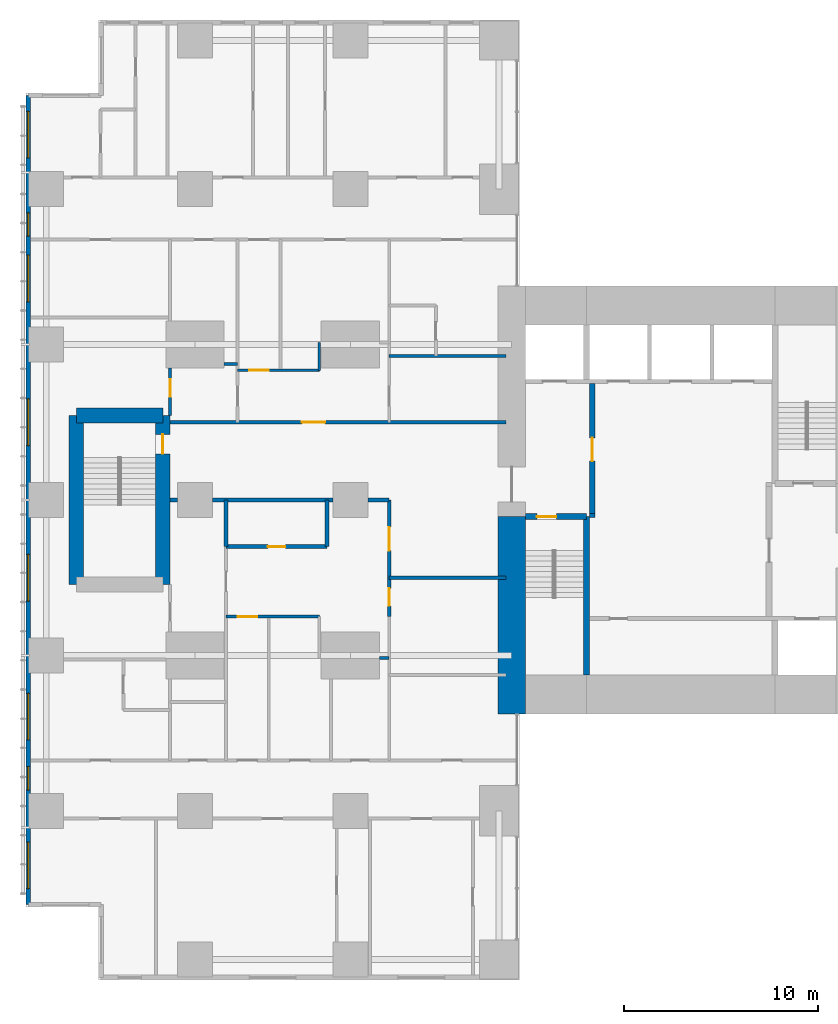
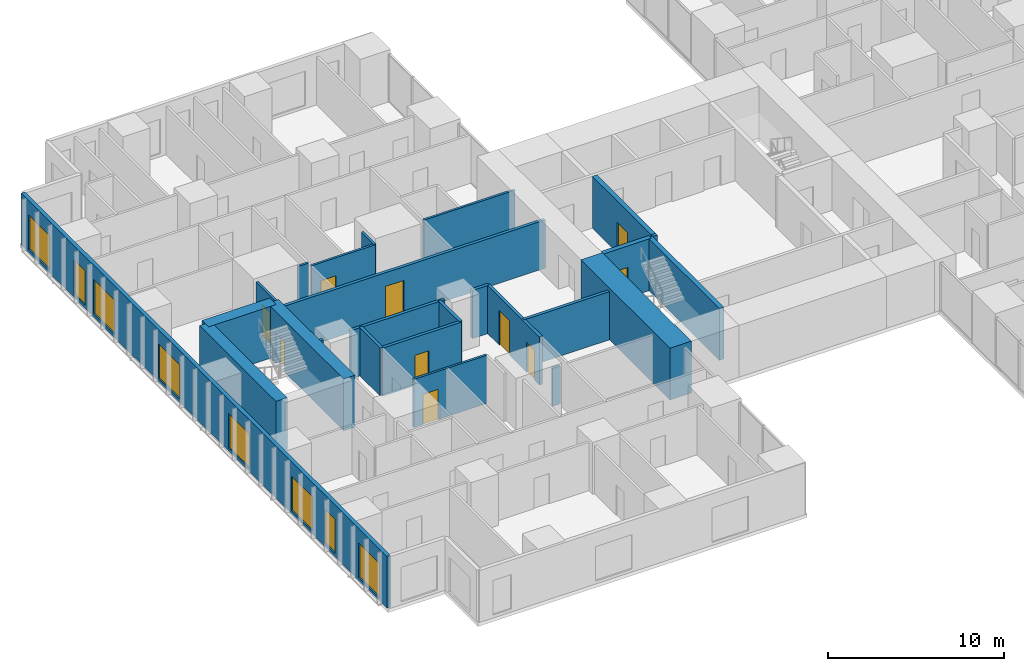
# One storey, part 13 of 20: 25 walls, 10 doors, 8 windows, 18 openings.
"""IFC4 building model written with IfcOpenShell, lengths in metres."""

import ifcopenshell
import ifcopenshell.guid

model = None  # the IFC model being written
_history = None  # IfcOwnerHistory: only IFC2X3 demands one
_inside = {}  # id of a spatial element -> (the spatial element, [elements in it])
_under = {}  # id of a project, library or spatial element -> (it, [spatial elements below it])
_declared = {}  # id of a project -> (the project, [libraries it declares])
_typed = {}  # id of a type object -> (the type object, [elements of that type])
_made_of = {}  # id of a material, layer set ... -> (it, [elements and type objects made of it])


def new_model(schema):
    """Start an empty IFC model of exactly this schema.

    Asked for "IFC4X3", IfcOpenShell would pick the latest addendum, in which some entities
    have other attributes; the version numbers below select the first issue.
    IFC2X3 requires an IfcOwnerHistory on every rooted entity: one is made here for all.
    """
    global model, _history
    if schema == "IFC4X3":
        model = ifcopenshell.file(schema_version=(4, 3, 0, 0))
    else:
        model = ifcopenshell.file(schema=schema)
    _inside.clear()
    _under.clear()
    _declared.clear()
    _typed.clear()
    _made_of.clear()
    _history = None
    if model.schema == "IFC2X3":
        org = make("IfcOrganization", Name="unknown")
        user = make(
            "IfcPersonAndOrganization",
            ThePerson=make("IfcPerson", FamilyName="unknown"),
            TheOrganization=org,
        )
        app = make(
            "IfcApplication",
            ApplicationDeveloper=org,
            Version="unknown",
            ApplicationFullName="unknown",
            ApplicationIdentifier="unknown",
        )
        _history = make(
            "IfcOwnerHistory",
            OwningUser=user,
            OwningApplication=app,
            ChangeAction="ADDED",
            CreationDate=0,
        )
    return model


def make(cls, **values):
    """One entity of the class cls with the attributes given. An attribute that is None is left unset."""
    return model.create_entity(
        cls, **{name: value for name, value in values.items() if value is not None}
    )


def rooted(cls, **values):
    """An entity with a GlobalId (a new one), such as an element, a storey or a relation."""
    return make(cls, GlobalId=ifcopenshell.guid.new(), OwnerHistory=_history, **values)


def si_unit(unit_type, name, prefix=None):
    """IfcSIUnit, for example si_unit("LENGTHUNIT", "METRE", prefix="MILLI")."""
    return make("IfcSIUnit", UnitType=unit_type, Prefix=prefix, Name=name)


def assignment(units):
    """IfcUnitAssignment: the units of a project."""
    return None if units is None else make("IfcUnitAssignment", Units=units)


def point(xyz):
    """IfcCartesianPoint."""
    return None if xyz is None else make("IfcCartesianPoint", Coordinates=xyz)


def direction(xyz):
    """IfcDirection."""
    return None if xyz is None else make("IfcDirection", DirectionRatios=xyz)


def frame(location, z_axis=None, x_axis=None):
    """IfcAxis2Placement3D, a coordinate frame: its origin and axes. An axis left out is left unset."""
    return make(
        "IfcAxis2Placement3D",
        Location=point(location),
        Axis=direction(z_axis),
        RefDirection=direction(x_axis),
    )


def frame_2d(location, x_axis=None):
    """IfcAxis2Placement2D, a coordinate frame in the plane: its origin and x axis."""
    return make(
        "IfcAxis2Placement2D", Location=point(location), RefDirection=direction(x_axis)
    )


def origin():
    """The frame at (0, 0, 0) with its axes left unset."""
    return frame((0.0, 0.0, 0.0))


def place(relative_to, where):
    """IfcLocalPlacement: puts the frame where relative to a parent placement (None: the world)."""
    return make(
        "IfcLocalPlacement", PlacementRelTo=relative_to, RelativePlacement=where
    )


def context(
    kind, dimensions, precision=None, world=None, true_north=None, identifier=None
):
    """IfcGeometricRepresentationContext, for example the 3D "Model" context."""
    return make(
        "IfcGeometricRepresentationContext",
        ContextIdentifier=identifier,
        ContextType=kind,
        CoordinateSpaceDimension=dimensions,
        Precision=precision,
        WorldCoordinateSystem=world,
        TrueNorth=true_north,
    )


def subcontext(parent, identifier, kind, view, scale=None):
    """IfcGeometricRepresentationSubContext, for example "Body" below "Model"."""
    return make(
        "IfcGeometricRepresentationSubContext",
        ContextIdentifier=identifier,
        ContextType=kind,
        ParentContext=parent,
        TargetScale=scale,
        TargetView=view,
    )


def project(units=None, contexts=None):
    """IfcProject with its units and contexts."""
    return rooted(
        "IfcProject",
        Name="project",
        RepresentationContexts=contexts,
        UnitsInContext=assignment(units),
    )


def spatial(cls, under=None, at=None, **own):
    """A site, building, storey or space (cls), placed at a placement, below another one or the project."""
    s = rooted(cls, ObjectPlacement=at, **own)
    if under is not None:
        _under.setdefault(under.id(), (under, []))[1].append(s)
    return s


def profile(cls, at=None, kind="AREA", **sizes):
    """A parametric profile (cls). Its sizes go by their IFC names, for example OverallWidth=200.0."""
    return make(cls, ProfileType=kind, Position=at, **sizes)


def rectangle(**sizes):
    """IfcRectangleProfileDef."""
    return profile("IfcRectangleProfileDef", **sizes)


def extrude(swept, where, along, depth):
    """IfcExtrudedAreaSolid: the profile swept, set in the frame where, extruded along a direction by depth."""
    return make(
        "IfcExtrudedAreaSolid",
        SweptArea=swept,
        Position=where,
        ExtrudedDirection=direction(along),
        Depth=depth,
    )


def shape(context_of_items, identifier, shape_type, items):
    """IfcShapeRepresentation: the items that make up one representation, for example the "Body"."""
    return make(
        "IfcShapeRepresentation",
        ContextOfItems=context_of_items,
        RepresentationIdentifier=identifier,
        RepresentationType=shape_type,
        Items=items,
    )


def material(Name=None, Category=None):
    """IfcMaterial."""
    return make("IfcMaterial", Name=Name, Category=Category)


def layer(
    of_material, thickness, ventilated=None, Name=None, Category=None, Priority=None
):
    """IfcMaterialLayer: one layer of a wall or slab, of a material (None: an air gap)."""
    return make(
        "IfcMaterialLayer",
        Material=of_material,
        LayerThickness=thickness,
        IsVentilated=ventilated,
        Name=Name,
        Category=Category,
        Priority=Priority,
    )


def layer_set(layers, Name=None):
    """IfcMaterialLayerSet."""
    return make("IfcMaterialLayerSet", MaterialLayers=layers, LayerSetName=Name)


def made_of(thing, what):
    """Note that an element or type object is made of a material, layer set ...; save() writes the relation."""
    if what is not None:
        _made_of.setdefault(what.id(), (what, []))[1].append(thing)
    return thing


def type_object(cls, material=None, **own):
    """A type object (cls), such as IfcWallType, which elements share."""
    return made_of(rooted(cls, **own), material)


def element(
    cls,
    number,
    at=None,
    inside=None,
    cuts=None,
    type_object=None,
    material=None,
    context=None,
    identifier="Body",
    shape_type=None,
    held_by="IfcProductDefinitionShape",
    body=None,
    shapes=None,
    **own,
):
    """One element of the class cls, such as IfcWall. Its Tag is "e" and its number.

    at: its placement. inside: the storey or other place that contains it. cuts: it is an
    opening in that element (IfcRelVoidsElement). A single representation is given by context,
    identifier, shape_type and body (its items); several are given by shapes. held_by: the class
    of the entity that holds the representations. save() writes the other relations.
    """
    e = rooted(cls, Tag="e%d" % number, ObjectPlacement=at, **own)
    if body is not None:
        shapes = [shape(context, identifier, shape_type, body)]
    if shapes is not None:
        e.Representation = make(held_by, Representations=shapes)
    if inside is not None:
        _inside.setdefault(inside.id(), (inside, []))[1].append(e)
    if cuts is not None:
        rooted(
            "IfcRelVoidsElement", RelatingBuildingElement=cuts, RelatedOpeningElement=e
        )
    if type_object is not None:
        _typed.setdefault(type_object.id(), (type_object, []))[1].append(e)
    return made_of(e, material)


def fill(opening, filler):
    """IfcRelFillsElement: the door or window that sits in an opening."""
    return rooted(
        "IfcRelFillsElement",
        RelatingOpeningElement=opening,
        RelatedBuildingElement=filler,
    )


def aggregate(whole, parts):
    """IfcRelAggregates: a whole, such as a stair, and the parts it consists of."""
    return rooted("IfcRelAggregates", RelatingObject=whole, RelatedObjects=parts)


def save(model, path):
    """Write the relations noted so far, then the file.

    IfcRelAggregates (storeys below a building ...), IfcRelContainedInSpatialStructure (elements
    in a storey), IfcRelDefinesByType, IfcRelAssociatesMaterial and IfcRelDeclares: one each for
    every whole, place, type object, material and project.
    """
    for whole, parts in _under.values():
        aggregate(whole, parts)
    for where, things in _inside.values():
        rooted(
            "IfcRelContainedInSpatialStructure",
            RelatedElements=things,
            RelatingStructure=where,
        )
    for kind, things in _typed.values():
        rooted("IfcRelDefinesByType", RelatedObjects=things, RelatingType=kind)
    for what, things in _made_of.values():
        rooted("IfcRelAssociatesMaterial", RelatedObjects=things, RelatingMaterial=what)
    for by, libraries in _declared.values():
        rooted("IfcRelDeclares", RelatingContext=by, RelatedDefinitions=libraries)
    model.write(path)


model = new_model("IFC4")

# Units and contexts
model_context = context("Model", 3, precision=1e-05, world=origin(), true_north=direction((0.0, 1.0)))
body_context = subcontext(model_context, "Body", "Model", "MODEL_VIEW")
ifc_project = project(units=[si_unit("LENGTHUNIT", "METRE"), si_unit("AREAUNIT", "SQUARE_METRE"), si_unit("VOLUMEUNIT", "CUBIC_METRE"), si_unit("PLANEANGLEUNIT", "RADIAN"), si_unit("MASSUNIT", "GRAM", prefix="KILO")], contexts=[model_context])

# Site, building, storey
site_placement = place(None, origin())
site = spatial("IfcSite", under=ifc_project, at=site_placement, CompositionType="ELEMENT")
building_placement = place(site_placement, origin())
building = spatial("IfcBuilding", under=site, at=building_placement, Name="Cleftline Residences", CompositionType="ELEMENT")
storey_placement = place(building_placement, frame((0.0, 0.0, 211.0)))
storey = spatial("IfcBuildingStorey", under=building, at=storey_placement, Name="L55", CompositionType="ELEMENT", Elevation=211.0)

# Walls
ifc_material_1 = material(Name="Concrete B70", Category="concrete")
ifc_layer_1 = layer(ifc_material_1, 1.39990234375)
ifc_layer_set_1 = layer_set([ifc_layer_1], Name="CORE WALL 1400")
wall_type_1 = type_object("IfcWallType", Name="CORE WALL 1400", PredefinedType="SHEAR", material=ifc_layer_set_1)
wall_1_placement = place(storey_placement, frame((24.300048828125, 13.0, 0.0), z_axis=(0.0, 0.0, 1.0), x_axis=(0.0, 1.0, 0.0)))
element("IfcWall", 1, at=wall_1_placement, inside=storey, type_object=wall_type_1, Name="Core wall W0", PredefinedType="SHEAR", context=body_context, shape_type="SweptSolid", body=[
    extrude(rectangle(XDim=10.14990234375, YDim=1.39990234375, at=frame_2d((5.074951171875, 0.0))), origin(), (0.0, 0.0, 1.0), 3.60009765625),
])
ifc_material_2 = material(Name="Concrete B70", Category="concrete")
ifc_layer_2 = layer(ifc_material_2, 0.300048828125)
ifc_layer_set_2 = layer_set([ifc_layer_2], Name="CORE WALL 300")
wall_type_2 = type_object("IfcWallType", Name="CORE WALL 300", PredefinedType="SHEAR", material=ifc_layer_set_2)
wall_2_placement = place(storey_placement, frame((28.14990234375, 15.0, 0.0), z_axis=(0.0, 0.0, 1.0), x_axis=(0.0, 1.0, 0.0)))
element("IfcWall", 2, at=wall_2_placement, inside=storey, type_object=wall_type_2, Name="Core wall SA-E", PredefinedType="SHEAR", context=body_context, shape_type="SweptSolid", body=[
    extrude(rectangle(XDim=8.14990234375, YDim=0.300048828125, at=frame_2d((4.074951171875, 0.0))), origin(), (0.0, 0.0, 1.0), 3.60009765625),
])

# Wall, opening, door
wall_3_placement = place(storey_placement, frame((25.0, 23.14990234375, 0.0), z_axis=(0.0, 0.0, 1.0), x_axis=(1.0, 0.0, 0.0)))
wall_3 = element("IfcWall", 3, at=wall_3_placement, inside=storey, type_object=wall_type_2, Name="Core wall SA-N", PredefinedType="SHEAR", context=body_context, shape_type="SweptSolid", body=[
    extrude(rectangle(XDim=3.14990234375, YDim=0.300048828125, at=frame_2d((1.574951171875, 0.0))), origin(), (0.0, 0.0, 1.0), 3.60009765625),
])
opening_1_placement = place(wall_3_placement, frame((0.60009765625, 0.0, 0.0)))
opening_1 = element("IfcOpeningElement", 4, at=opening_1_placement, cuts=wall_3, Name="Opening D5", PredefinedType="OPENING", context=body_context, shape_type="SweptSolid", body=[
    extrude(rectangle(XDim=1.0, YDim=2.10009765625, at=frame_2d((0.5, 1.050048828125))), frame((0.0, 0.159912109375, 0.0), z_axis=(0.0, -1.0, 0.0), x_axis=(1.0, 0.0, 0.0)), (0.0, 0.0, 1.0), 0.320068359375),
])
ifc_material_3 = material(Name="Steel", Category="steel")
door_type_1 = type_object("IfcDoorType", Name="STAIR DOOR 1000X2100", OperationType="SINGLE_SWING_LEFT", PredefinedType="DOOR", material=ifc_material_3)
door_1_placement = place(opening_1_placement, origin())
door_1 = element("IfcDoor", 5, at=door_1_placement, inside=storey, type_object=door_type_1, Name="Stair A door", OperationType="SINGLE_SWING_RIGHT", OverallHeight=2.10009765625, OverallWidth=1.0, PredefinedType="DOOR", context=body_context, shape_type="SweptSolid", body=[
    extrude(rectangle(XDim=1.0, YDim=2.10009765625, at=frame_2d((0.5, 1.050048828125))), frame((0.0, 0.02490234375, 0.0), z_axis=(0.0, -1.0, 0.0), x_axis=(1.0, 0.0, 0.0)), (0.0, 0.0, 1.0), 0.050048828125),
])
fill(opening_1, door_1)

# Wall, openings, windows
ifc_material_4 = material(Name="Rendered reinforced concrete blockwork", Category="masonry")
ifc_layer_3 = layer(ifc_material_4, 0.25)
ifc_layer_set_3 = layer_set([ifc_layer_3], Name="EXTERNAL WALL 250")
wall_type_3 = type_object("IfcWallType", Name="EXTERNAL WALL 250", PredefinedType="SOLIDWALL", material=ifc_layer_set_3)
wall_4_placement = place(storey_placement, frame((-0.574951171875, 44.824951171875, 0.0), z_axis=(0.0, 0.0, 1.0), x_axis=(0.0, -1.0, 0.0)))
wall_4 = element("IfcWall", 6, at=wall_4_placement, inside=storey, type_object=wall_type_3, Name="External wall", PredefinedType="SOLIDWALL", context=body_context, shape_type="SweptSolid", body=[
    extrude(rectangle(XDim=41.64990234375, YDim=0.25, at=frame_2d((20.824951171875, 0.0))), origin(), (0.0, 0.0, 1.0), 3.60009765625),
])
opening_2_placement = place(wall_4_placement, frame((0.824951171875, 0.0, 0.199951171875)))
opening_2 = element("IfcOpeningElement", 7, at=opening_2_placement, cuts=wall_4, Name="Opening W9", PredefinedType="OPENING", context=body_context, shape_type="SweptSolid", body=[
    extrude(rectangle(XDim=2.39990234375, YDim=2.39990234375, at=frame_2d((1.199951171875, 1.199951171875))), frame((0.0, 0.135009765625, 0.0), z_axis=(0.0, -1.0, 0.0), x_axis=(1.0, 0.0, 0.0)), (0.0, 0.0, 1.0), 0.27001953125),
])
opening_3_placement = place(wall_4_placement, frame((6.050048828125, 0.0, 0.199951171875)))
opening_3 = element("IfcOpeningElement", 8, at=opening_3_placement, cuts=wall_4, Name="Opening W13", PredefinedType="OPENING", context=body_context, shape_type="SweptSolid", body=[
    extrude(rectangle(XDim=1.199951171875, YDim=2.39990234375, at=frame_2d((0.60009765625, 1.199951171875))), frame((0.0, 0.135009765625, 0.0), z_axis=(0.0, -1.0, 0.0), x_axis=(1.0, 0.0, 0.0)), (0.0, 0.0, 1.0), 0.27001953125),
])
opening_4_placement = place(wall_4_placement, frame((8.22509765625, 0.0, 0.199951171875)))
opening_4 = element("IfcOpeningElement", 9, at=opening_4_placement, cuts=wall_4, Name="Opening W9", PredefinedType="OPENING", context=body_context, shape_type="SweptSolid", body=[
    extrude(rectangle(XDim=2.39990234375, YDim=2.39990234375, at=frame_2d((1.199951171875, 1.199951171875))), frame((0.0, 0.135009765625, 0.0), z_axis=(0.0, -1.0, 0.0), x_axis=(1.0, 0.0, 0.0)), (0.0, 0.0, 1.0), 0.27001953125),
])
opening_5_placement = place(wall_4_placement, frame((15.625, 0.0, 0.199951171875)))
opening_5 = element("IfcOpeningElement", 10, at=opening_5_placement, cuts=wall_4, Name="Opening W9", PredefinedType="OPENING", context=body_context, shape_type="SweptSolid", body=[
    extrude(rectangle(XDim=2.39990234375, YDim=2.39990234375, at=frame_2d((1.199951171875, 1.199951171875))), frame((0.0, 0.135009765625, 0.0), z_axis=(0.0, -1.0, 0.0), x_axis=(1.0, 0.0, 0.0)), (0.0, 0.0, 1.0), 0.27001953125),
])
opening_6_placement = place(wall_4_placement, frame((23.625, 0.0, 0.199951171875)))
opening_6 = element("IfcOpeningElement", 11, at=opening_6_placement, cuts=wall_4, Name="Opening W9", PredefinedType="OPENING", context=body_context, shape_type="SweptSolid", body=[
    extrude(rectangle(XDim=2.39990234375, YDim=2.39990234375, at=frame_2d((1.199951171875, 1.199951171875))), frame((0.0, 0.135009765625, 0.0), z_axis=(0.0, -1.0, 0.0), x_axis=(1.0, 0.0, 0.0)), (0.0, 0.0, 1.0), 0.27001953125),
])
opening_7_placement = place(wall_4_placement, frame((30.77490234375, 0.0, 0.199951171875)))
opening_7 = element("IfcOpeningElement", 12, at=opening_7_placement, cuts=wall_4, Name="Opening W9", PredefinedType="OPENING", context=body_context, shape_type="SweptSolid", body=[
    extrude(rectangle(XDim=2.39990234375, YDim=2.39990234375, at=frame_2d((1.199951171875, 1.199951171875))), frame((0.0, 0.135009765625, 0.0), z_axis=(0.0, -1.0, 0.0), x_axis=(1.0, 0.0, 0.0)), (0.0, 0.0, 1.0), 0.27001953125),
])
opening_8_placement = place(wall_4_placement, frame((34.550048828125, 0.0, 0.199951171875)))
opening_8 = element("IfcOpeningElement", 13, at=opening_8_placement, cuts=wall_4, Name="Opening W13", PredefinedType="OPENING", context=body_context, shape_type="SweptSolid", body=[
    extrude(rectangle(XDim=1.199951171875, YDim=2.39990234375, at=frame_2d((0.60009765625, 1.199951171875))), frame((0.0, 0.135009765625, 0.0), z_axis=(0.0, -1.0, 0.0), x_axis=(1.0, 0.0, 0.0)), (0.0, 0.0, 1.0), 0.27001953125),
])
opening_9_placement = place(wall_4_placement, frame((38.425048828125, 0.0, 0.199951171875)))
opening_9 = element("IfcOpeningElement", 14, at=opening_9_placement, cuts=wall_4, Name="Opening W9", PredefinedType="OPENING", context=body_context, shape_type="SweptSolid", body=[
    extrude(rectangle(XDim=2.39990234375, YDim=2.39990234375, at=frame_2d((1.199951171875, 1.199951171875))), frame((0.0, 0.135009765625, 0.0), z_axis=(0.0, -1.0, 0.0), x_axis=(1.0, 0.0, 0.0)), (0.0, 0.0, 1.0), 0.27001953125),
])
ifc_material_5 = material(Name="Aluminium frame, clear double glazing", Category="aluminium")
window_type_1 = type_object("IfcWindowType", Name="WINDOW 1200X2400", PartitioningType="DOUBLE_PANEL_VERTICAL", PredefinedType="WINDOW", material=ifc_material_5)
window_1_placement = place(opening_3_placement, origin())
window_1 = element("IfcWindow", 15, at=window_1_placement, inside=storey, type_object=window_type_1, Name="Window", OverallHeight=2.39990234375, OverallWidth=1.199951171875, PartitioningType="SINGLE_PANEL", PredefinedType="WINDOW", context=body_context, shape_type="SweptSolid", body=[
    extrude(rectangle(XDim=1.199951171875, YDim=2.39990234375, at=frame_2d((0.60009765625, 1.199951171875))), frame((0.0, 0.030029296875, 0.0), z_axis=(0.0, -1.0, 0.0), x_axis=(1.0, 0.0, 0.0)), (0.0, 0.0, 1.0), 0.06005859375),
])
fill(opening_3, window_1)
window_2_placement = place(opening_8_placement, origin())
window_2 = element("IfcWindow", 16, at=window_2_placement, inside=storey, type_object=window_type_1, Name="Window", OverallHeight=2.39990234375, OverallWidth=1.199951171875, PartitioningType="SINGLE_PANEL", PredefinedType="WINDOW", context=body_context, shape_type="SweptSolid", body=[
    extrude(rectangle(XDim=1.199951171875, YDim=2.39990234375, at=frame_2d((0.60009765625, 1.199951171875))), frame((0.0, 0.030029296875, 0.0), z_axis=(0.0, -1.0, 0.0), x_axis=(1.0, 0.0, 0.0)), (0.0, 0.0, 1.0), 0.06005859375),
])
fill(opening_8, window_2)
ifc_material_6 = material(Name="Aluminium frame, clear double glazing", Category="aluminium")
window_type_2 = type_object("IfcWindowType", Name="WINDOW 2400X2400", PartitioningType="DOUBLE_PANEL_VERTICAL", PredefinedType="WINDOW", material=ifc_material_6)
window_3_placement = place(opening_2_placement, origin())
window_3 = element("IfcWindow", 17, at=window_3_placement, inside=storey, type_object=window_type_2, Name="Window", OverallHeight=2.39990234375, OverallWidth=2.39990234375, PartitioningType="SINGLE_PANEL", PredefinedType="WINDOW", context=body_context, shape_type="SweptSolid", body=[
    extrude(rectangle(XDim=2.39990234375, YDim=2.39990234375, at=frame_2d((1.199951171875, 1.199951171875))), frame((0.0, 0.030029296875, 0.0), z_axis=(0.0, -1.0, 0.0), x_axis=(1.0, 0.0, 0.0)), (0.0, 0.0, 1.0), 0.06005859375),
])
fill(opening_2, window_3)
window_4_placement = place(opening_4_placement, origin())
window_4 = element("IfcWindow", 18, at=window_4_placement, inside=storey, type_object=window_type_2, Name="Window", OverallHeight=2.39990234375, OverallWidth=2.39990234375, PartitioningType="SINGLE_PANEL", PredefinedType="WINDOW", context=body_context, shape_type="SweptSolid", body=[
    extrude(rectangle(XDim=2.39990234375, YDim=2.39990234375, at=frame_2d((1.199951171875, 1.199951171875))), frame((0.0, 0.030029296875, 0.0), z_axis=(0.0, -1.0, 0.0), x_axis=(1.0, 0.0, 0.0)), (0.0, 0.0, 1.0), 0.06005859375),
])
fill(opening_4, window_4)
window_5_placement = place(opening_5_placement, origin())
window_5 = element("IfcWindow", 19, at=window_5_placement, inside=storey, type_object=window_type_2, Name="Window", OverallHeight=2.39990234375, OverallWidth=2.39990234375, PartitioningType="SINGLE_PANEL", PredefinedType="WINDOW", context=body_context, shape_type="SweptSolid", body=[
    extrude(rectangle(XDim=2.39990234375, YDim=2.39990234375, at=frame_2d((1.199951171875, 1.199951171875))), frame((0.0, 0.030029296875, 0.0), z_axis=(0.0, -1.0, 0.0), x_axis=(1.0, 0.0, 0.0)), (0.0, 0.0, 1.0), 0.06005859375),
])
fill(opening_5, window_5)
window_6_placement = place(opening_6_placement, origin())
window_6 = element("IfcWindow", 20, at=window_6_placement, inside=storey, type_object=window_type_2, Name="Window", OverallHeight=2.39990234375, OverallWidth=2.39990234375, PartitioningType="SINGLE_PANEL", PredefinedType="WINDOW", context=body_context, shape_type="SweptSolid", body=[
    extrude(rectangle(XDim=2.39990234375, YDim=2.39990234375, at=frame_2d((1.199951171875, 1.199951171875))), frame((0.0, 0.030029296875, 0.0), z_axis=(0.0, -1.0, 0.0), x_axis=(1.0, 0.0, 0.0)), (0.0, 0.0, 1.0), 0.06005859375),
])
fill(opening_6, window_6)
window_7_placement = place(opening_7_placement, origin())
window_7 = element("IfcWindow", 21, at=window_7_placement, inside=storey, type_object=window_type_2, Name="Window", OverallHeight=2.39990234375, OverallWidth=2.39990234375, PartitioningType="SINGLE_PANEL", PredefinedType="WINDOW", context=body_context, shape_type="SweptSolid", body=[
    extrude(rectangle(XDim=2.39990234375, YDim=2.39990234375, at=frame_2d((1.199951171875, 1.199951171875))), frame((0.0, 0.030029296875, 0.0), z_axis=(0.0, -1.0, 0.0), x_axis=(1.0, 0.0, 0.0)), (0.0, 0.0, 1.0), 0.06005859375),
])
fill(opening_7, window_7)
window_8_placement = place(opening_9_placement, origin())
window_8 = element("IfcWindow", 22, at=window_8_placement, inside=storey, type_object=window_type_2, Name="Window", OverallHeight=2.39990234375, OverallWidth=2.39990234375, PartitioningType="SINGLE_PANEL", PredefinedType="WINDOW", context=body_context, shape_type="SweptSolid", body=[
    extrude(rectangle(XDim=2.39990234375, YDim=2.39990234375, at=frame_2d((1.199951171875, 1.199951171875))), frame((0.0, 0.030029296875, 0.0), z_axis=(0.0, -1.0, 0.0), x_axis=(1.0, 0.0, 0.0)), (0.0, 0.0, 1.0), 0.06005859375),
])
fill(opening_9, window_8)

# Wall
ifc_material_7 = material(Name="Concrete blockwork, fire rated", Category="masonry")
ifc_layer_4 = layer(ifc_material_7, 0.199951171875)
ifc_layer_set_4 = layer_set([ifc_layer_4], Name="FIRE WALL 200")
wall_type_4 = type_object("IfcWallType", Name="FIRE WALL 200", PredefinedType="PARTITIONING", material=ifc_layer_set_4)
wall_5_placement = place(storey_placement, frame((18.0, 20.0, 0.0), z_axis=(0.0, 0.0, 1.0), x_axis=(1.0, 0.0, 0.0)))
element("IfcWall", 23, at=wall_5_placement, inside=storey, type_object=wall_type_4, Name="Fire separating wall", PredefinedType="PARTITIONING", context=body_context, shape_type="SweptSolid", body=[
    extrude(rectangle(XDim=6.0, YDim=0.199951171875, at=frame_2d((3.0, 0.0))), origin(), (0.0, 0.0, 1.0), 3.35009765625),
])

# Wall, opening, door
wall_6_placement = place(storey_placement, frame((9.60009765625, 21.60009765625, 0.0), z_axis=(0.0, 0.0, 1.0), x_axis=(1.0, 0.0, 0.0)))
wall_6 = element("IfcWall", 24, at=wall_6_placement, inside=storey, type_object=wall_type_4, Name="Fire separating wall", PredefinedType="PARTITIONING", context=body_context, shape_type="SweptSolid", body=[
    extrude(rectangle(XDim=5.199951171875, YDim=0.199951171875, at=frame_2d((2.60009765625, 0.0))), origin(), (0.0, 0.0, 1.0), 3.35009765625),
])
opening_10_placement = place(wall_6_placement, frame((2.14990234375, 0.0, 0.0)))
opening_10 = element("IfcOpeningElement", 25, at=opening_10_placement, cuts=wall_6, Name="Opening D1F30", PredefinedType="OPENING", context=body_context, shape_type="SweptSolid", body=[
    extrude(rectangle(XDim=0.89990234375, YDim=2.10009765625, at=frame_2d((0.449951171875, 1.050048828125))), frame((0.0, 0.10986328125, 0.0), z_axis=(0.0, -1.0, 0.0), x_axis=(1.0, 0.0, 0.0)), (0.0, 0.0, 1.0), 0.219970703125),
])
ifc_material_8 = material(Name="Timber veneer on solid core", Category="wood")
door_type_2 = type_object("IfcDoorType", Name="DOOR 900X2100 EI 30", OperationType="SINGLE_SWING_LEFT", PredefinedType="DOOR", material=ifc_material_8)
door_2_placement = place(opening_10_placement, origin())
door_2 = element("IfcDoor", 26, at=door_2_placement, inside=storey, type_object=door_type_2, Name="Door to cloakroom wc", OperationType="SINGLE_SWING_LEFT", OverallHeight=2.10009765625, OverallWidth=0.89990234375, PredefinedType="DOOR", context=body_context, shape_type="SweptSolid", body=[
    extrude(rectangle(XDim=0.89990234375, YDim=2.10009765625, at=frame_2d((0.449951171875, 1.050048828125))), frame((0.0, 0.02490234375, 0.0), z_axis=(0.0, -1.0, 0.0), x_axis=(1.0, 0.0, 0.0)), (0.0, 0.0, 1.0), 0.050048828125),
])
fill(opening_10, door_2)

# Walls
wall_7_placement = place(storey_placement, frame((6.72509765625, 24.0, 0.0), z_axis=(0.0, 0.0, 1.0), x_axis=(1.0, 0.0, 0.0)))
element("IfcWall", 27, at=wall_7_placement, inside=storey, type_object=wall_type_4, Name="Fire separating wall", PredefinedType="PARTITIONING", context=body_context, shape_type="SweptSolid", body=[
    extrude(rectangle(XDim=0.375, YDim=0.199951171875, at=frame_2d((0.1875, 0.0))), origin(), (0.0, 0.0, 1.0), 3.35009765625),
])
wall_8_placement = place(storey_placement, frame((8.89990234375, 24.0, 0.0), z_axis=(0.0, 0.0, 1.0), x_axis=(1.0, 0.0, 0.0)))
element("IfcWall", 28, at=wall_8_placement, inside=storey, type_object=wall_type_4, Name="Fire separating wall", PredefinedType="PARTITIONING", context=body_context, shape_type="SweptSolid", body=[
    extrude(rectangle(XDim=6.2001953125, YDim=0.199951171875, at=frame_2d((3.10009765625, 0.0))), origin(), (0.0, 0.0, 1.0), 3.35009765625),
])
wall_9_placement = place(storey_placement, frame((16.89990234375, 24.0, 0.0), z_axis=(0.0, 0.0, 1.0), x_axis=(1.0, 0.0, 0.0)))
element("IfcWall", 29, at=wall_9_placement, inside=storey, type_object=wall_type_4, Name="Fire separating wall", PredefinedType="PARTITIONING", context=body_context, shape_type="SweptSolid", body=[
    extrude(rectangle(XDim=1.10009765625, YDim=0.199951171875, at=frame_2d((0.550048828125, 0.0))), origin(), (0.0, 0.0, 1.0), 3.35009765625),
])

# Wall, opening, door
wall_10_placement = place(storey_placement, frame((6.72509765625, 28.0, 0.0), z_axis=(0.0, 0.0, 1.0), x_axis=(1.0, 0.0, 0.0)))
wall_10 = element("IfcWall", 30, at=wall_10_placement, inside=storey, type_object=wall_type_4, Name="Fire separating wall", PredefinedType="PARTITIONING", context=body_context, shape_type="SweptSolid", body=[
    extrude(rectangle(XDim=17.27490234375, YDim=0.199951171875, at=frame_2d((8.637451171875, 0.0))), origin(), (0.0, 0.0, 1.0), 3.35009765625),
])
opening_11_placement = place(wall_10_placement, frame((6.77490234375, 0.0, 0.0)))
opening_11 = element("IfcOpeningElement", 31, at=opening_11_placement, cuts=wall_10, Name="Opening D4", PredefinedType="OPENING", context=body_context, shape_type="SweptSolid", body=[
    extrude(rectangle(XDim=1.199951171875, YDim=2.39990234375, at=frame_2d((0.60009765625, 1.199951171875))), frame((0.0, 0.10986328125, 0.0), z_axis=(0.0, -1.0, 0.0), x_axis=(1.0, 0.0, 0.0)), (0.0, 0.0, 1.0), 0.219970703125),
])
ifc_material_9 = material(Name="Timber veneer on solid core", Category="wood")
door_type_3 = type_object("IfcDoorType", Name="APARTMENT ENTRANCE DOOR 1200X2400", OperationType="SINGLE_SWING_RIGHT", PredefinedType="DOOR", material=ifc_material_9)
door_3_placement = place(opening_11_placement, origin())
door_3 = element("IfcDoor", 32, at=door_3_placement, inside=storey, type_object=door_type_3, Name="Door to residence entrance (gallery)", OperationType="SINGLE_SWING_RIGHT", OverallHeight=2.39990234375, OverallWidth=1.199951171875, PredefinedType="DOOR", context=body_context, shape_type="SweptSolid", body=[
    extrude(rectangle(XDim=1.199951171875, YDim=2.39990234375, at=frame_2d((0.60009765625, 1.199951171875))), frame((0.0, 0.02490234375, 0.0), z_axis=(0.0, -1.0, 0.0), x_axis=(1.0, 0.0, 0.0)), (0.0, 0.0, 1.0), 0.050048828125),
])
fill(opening_11, door_3)

# Walls
for number, where, z_axis, x_axis, name in (
    (33, (9.60009765625, 21.60009765625, 0.0), (0.0, 0.0, 1.0), (0.0, 1.0, 0.0), "Fire separating wall"),
    (34, (14.800048828125, 21.60009765625, 0.0), (0.0, 0.0, 1.0), (0.0, 1.0, 0.0), "Fire separating wall"),
):
    element("IfcWall", number, at=place(storey_placement, frame(where, z_axis=z_axis, x_axis=x_axis)), inside=storey, type_object=wall_type_4, Name=name, PredefinedType="PARTITIONING", context=body_context, shape_type="SweptSolid", body=[
        extrude(rectangle(XDim=2.39990234375, YDim=0.199951171875, at=frame_2d((1.199951171875, 0.0))), origin(), (0.0, 0.0, 1.0), 3.35009765625),
    ])

# Wall, openings, doors
wall_11_placement = place(storey_placement, frame((18.0, 18.0, 0.0), z_axis=(0.0, 0.0, 1.0), x_axis=(0.0, 1.0, 0.0)))
wall_11 = element("IfcWall", 35, at=wall_11_placement, inside=storey, type_object=wall_type_4, Name="Fire separating wall", PredefinedType="PARTITIONING", context=body_context, shape_type="SweptSolid", body=[
    extrude(rectangle(XDim=6.0, YDim=0.199951171875, at=frame_2d((3.0, 0.0))), origin(), (0.0, 0.0, 1.0), 3.35009765625),
])
opening_12_placement = place(wall_11_placement, frame((3.39990234375, 0.0, 0.0)))
opening_12 = element("IfcOpeningElement", 36, at=opening_12_placement, cuts=wall_11, Name="Opening D4", PredefinedType="OPENING", context=body_context, shape_type="SweptSolid", body=[
    extrude(rectangle(XDim=1.199951171875, YDim=2.39990234375, at=frame_2d((0.60009765625, 1.199951171875))), frame((0.0, 0.10986328125, 0.0), z_axis=(0.0, -1.0, 0.0), x_axis=(1.0, 0.0, 0.0)), (0.0, 0.0, 1.0), 0.219970703125),
])
opening_13_placement = place(wall_11_placement, frame((0.550048828125, 0.0, 0.0)))
opening_13 = element("IfcOpeningElement", 37, at=opening_13_placement, cuts=wall_11, Name="Opening D1F30", PredefinedType="OPENING", context=body_context, shape_type="SweptSolid", body=[
    extrude(rectangle(XDim=0.89990234375, YDim=2.10009765625, at=frame_2d((0.449951171875, 1.050048828125))), frame((0.0, 0.10986328125, 0.0), z_axis=(0.0, -1.0, 0.0), x_axis=(1.0, 0.0, 0.0)), (0.0, 0.0, 1.0), 0.219970703125),
])
door_4_placement = place(opening_12_placement, origin())
door_4 = element("IfcDoor", 38, at=door_4_placement, inside=storey, type_object=door_type_3, Name="Door to residence entrance foyer", OperationType="SINGLE_SWING_LEFT", OverallHeight=2.39990234375, OverallWidth=1.199951171875, PredefinedType="DOOR", context=body_context, shape_type="SweptSolid", body=[
    extrude(rectangle(XDim=1.199951171875, YDim=2.39990234375, at=frame_2d((0.60009765625, 1.199951171875))), frame((0.0, 0.02490234375, 0.0), z_axis=(0.0, -1.0, 0.0), x_axis=(1.0, 0.0, 0.0)), (0.0, 0.0, 1.0), 0.050048828125),
])
fill(opening_12, door_4)
door_5_placement = place(opening_13_placement, origin())
door_5 = element("IfcDoor", 39, at=door_5_placement, inside=storey, type_object=door_type_2, Name="Door to utility room", OperationType="SINGLE_SWING_RIGHT", OverallHeight=2.10009765625, OverallWidth=0.89990234375, PredefinedType="DOOR", context=body_context, shape_type="SweptSolid", body=[
    extrude(rectangle(XDim=0.89990234375, YDim=2.10009765625, at=frame_2d((0.449951171875, 1.050048828125))), frame((0.0, 0.02490234375, 0.0), z_axis=(0.0, -1.0, 0.0), x_axis=(1.0, 0.0, 0.0)), (0.0, 0.0, 1.0), 0.050048828125),
])
fill(opening_13, door_5)

# Walls
wall_12_placement = place(storey_placement, frame((28.300048828125, 23.199951171875, 0.0), z_axis=(0.0, 0.0, 1.0), x_axis=(1.0, 0.0, 0.0)))
element("IfcWall", 40, at=wall_12_placement, inside=storey, type_object=wall_type_4, Name="Fire separating wall", PredefinedType="PARTITIONING", context=body_context, shape_type="SweptSolid", body=[
    extrude(rectangle(XDim=0.300048828125, YDim=0.199951171875, at=frame_2d((0.14990234375, 0.0))), origin(), (0.0, 0.0, 1.0), 3.60009765625),
])
ifc_material_10 = material(Name="Gypsum board on steel studs", Category="steel")
ifc_layer_5 = layer(ifc_material_10, 0.14990234375)
ifc_layer_set_5 = layer_set([ifc_layer_5], Name="PARTITION 150")
wall_type_5 = type_object("IfcWallType", Name="PARTITION 150", PredefinedType="PARTITIONING", material=ifc_layer_set_5)
wall_13_placement = place(storey_placement, frame((17.5, 15.875, 0.0), z_axis=(0.0, 0.0, 1.0), x_axis=(1.0, 0.0, 0.0)))
element("IfcWall", 41, at=wall_13_placement, inside=storey, type_object=wall_type_5, Name="Partition", PredefinedType="PARTITIONING", context=body_context, shape_type="SweptSolid", body=[
    extrude(rectangle(XDim=0.5, YDim=0.14990234375, at=frame_2d((0.25, 0.0))), origin(), (0.0, 0.0, 1.0), 2.634033203125),
])

# Wall, opening, door
wall_14_placement = place(storey_placement, frame((9.60009765625, 18.0, 0.0), z_axis=(0.0, 0.0, 1.0), x_axis=(1.0, 0.0, 0.0)))
wall_14 = element("IfcWall", 42, at=wall_14_placement, inside=storey, type_object=wall_type_5, Name="Partition", PredefinedType="PARTITIONING", context=body_context, shape_type="SweptSolid", body=[
    extrude(rectangle(XDim=4.7998046875, YDim=0.14990234375, at=frame_2d((2.39990234375, 0.0))), origin(), (0.0, 0.0, 1.0), 3.35009765625),
])
opening_14_placement = place(wall_14_placement, frame((0.60009765625, 0.0, 0.0)))
opening_14 = element("IfcOpeningElement", 43, at=opening_14_placement, cuts=wall_14, Name="Opening D2", PredefinedType="OPENING", context=body_context, shape_type="SweptSolid", body=[
    extrude(rectangle(XDim=1.0, YDim=2.10009765625, at=frame_2d((0.5, 1.050048828125))), frame((0.0, 0.0849609375, 0.0), z_axis=(0.0, -1.0, 0.0), x_axis=(1.0, 0.0, 0.0)), (0.0, 0.0, 1.0), 0.169921875),
])
ifc_material_11 = material(Name="Timber veneer on solid core", Category="wood")
door_type_4 = type_object("IfcDoorType", Name="DOOR 1000X2100", OperationType="SINGLE_SWING_LEFT", PredefinedType="DOOR", material=ifc_material_11)
door_6_placement = place(opening_14_placement, origin())
door_6 = element("IfcDoor", 44, at=door_6_placement, inside=storey, type_object=door_type_4, Name="Door to residence passage", OperationType="SINGLE_SWING_RIGHT", OverallHeight=2.10009765625, OverallWidth=1.0, PredefinedType="DOOR", context=body_context, shape_type="SweptSolid", body=[
    extrude(rectangle(XDim=1.0, YDim=2.10009765625, at=frame_2d((0.5, 1.050048828125))), frame((0.0, 0.02490234375, 0.0), z_axis=(0.0, -1.0, 0.0), x_axis=(1.0, 0.0, 0.0)), (0.0, 0.0, 1.0), 0.050048828125),
])
fill(opening_14, door_6)

wall_15_placement = place(storey_placement, frame((10.199951171875, 30.675048828125, 0.0), z_axis=(0.0, 0.0, 1.0), x_axis=(1.0, 0.0, 0.0)))
wall_15 = element("IfcWall", 45, at=wall_15_placement, inside=storey, type_object=wall_type_5, Name="Partition", PredefinedType="PARTITIONING", context=body_context, shape_type="SweptSolid", body=[
    extrude(rectangle(XDim=4.199951171875, YDim=0.14990234375, at=frame_2d((2.10009765625, 0.0))), origin(), (0.0, 0.0, 1.0), 3.35009765625),
])
opening_15_placement = place(wall_15_placement, frame((0.60009765625, 0.0, 0.0)))
opening_15 = element("IfcOpeningElement", 46, at=opening_15_placement, cuts=wall_15, Name="Opening D2", PredefinedType="OPENING", context=body_context, shape_type="SweptSolid", body=[
    extrude(rectangle(XDim=1.0, YDim=2.10009765625, at=frame_2d((0.5, 1.050048828125))), frame((0.0, 0.0849609375, 0.0), z_axis=(0.0, -1.0, 0.0), x_axis=(1.0, 0.0, 0.0)), (0.0, 0.0, 1.0), 0.169921875),
])
door_7_placement = place(opening_15_placement, origin())
door_7 = element("IfcDoor", 47, at=door_7_placement, inside=storey, type_object=door_type_4, Name="Door to residence passage", OperationType="SINGLE_SWING_RIGHT", OverallHeight=2.10009765625, OverallWidth=1.0, PredefinedType="DOOR", context=body_context, shape_type="SweptSolid", body=[
    extrude(rectangle(XDim=1.0, YDim=2.10009765625, at=frame_2d((0.5, 1.050048828125))), frame((0.0, 0.02490234375, 0.0), z_axis=(0.0, -1.0, 0.0), x_axis=(1.0, 0.0, 0.0)), (0.0, 0.0, 1.0), 0.050048828125),
])
fill(opening_15, door_7)

# Walls
wall_16_placement = place(storey_placement, frame((9.5, 31.0, 0.0), z_axis=(0.0, 0.0, 1.0), x_axis=(1.0, 0.0, 0.0)))
element("IfcWall", 48, at=wall_16_placement, inside=storey, type_object=wall_type_5, Name="Partition", PredefinedType="PARTITIONING", context=body_context, shape_type="SweptSolid", body=[
    extrude(rectangle(XDim=0.699951171875, YDim=0.14990234375, at=frame_2d((0.35009765625, 0.0))), origin(), (0.0, 0.0, 1.0), 3.35009765625),
])
wall_17_placement = place(storey_placement, frame((18.0, 31.39990234375, 0.0), z_axis=(0.0, 0.0, 1.0), x_axis=(1.0, 0.0, 0.0)))
element("IfcWall", 49, at=wall_17_placement, inside=storey, type_object=wall_type_5, Name="Partition", PredefinedType="PARTITIONING", context=body_context, shape_type="SweptSolid", body=[
    extrude(rectangle(XDim=6.0, YDim=0.14990234375, at=frame_2d((3.0, 0.0))), origin(), (0.0, 0.0, 1.0), 3.35009765625),
])

# Wall, opening, door
wall_18_placement = place(storey_placement, frame((6.72509765625, 28.35009765625, 0.0), z_axis=(0.0, 0.0, 1.0), x_axis=(0.0, 1.0, 0.0)))
wall_18 = element("IfcWall", 50, at=wall_18_placement, inside=storey, type_object=wall_type_5, Name="Partition", PredefinedType="PARTITIONING", context=body_context, shape_type="SweptSolid", body=[
    extrude(rectangle(XDim=2.449951171875, YDim=0.14990234375, at=frame_2d((1.22509765625, 0.0))), origin(), (0.0, 0.0, 1.0), 3.35009765625),
])
opening_16_placement = place(wall_18_placement, frame((0.96240234375, 0.0, 0.0)))
opening_16 = element("IfcOpeningElement", 51, at=opening_16_placement, cuts=wall_18, Name="Opening D1", PredefinedType="OPENING", context=body_context, shape_type="SweptSolid", body=[
    extrude(rectangle(XDim=0.89990234375, YDim=2.10009765625, at=frame_2d((0.449951171875, 1.050048828125))), frame((0.0, 0.0849609375, 0.0), z_axis=(0.0, -1.0, 0.0), x_axis=(1.0, 0.0, 0.0)), (0.0, 0.0, 1.0), 0.169921875),
])
ifc_material_12 = material(Name="Timber veneer on solid core", Category="wood")
door_type_5 = type_object("IfcDoorType", Name="DOOR 900X2100", OperationType="SINGLE_SWING_LEFT", PredefinedType="DOOR", material=ifc_material_12)
door_8_placement = place(opening_16_placement, origin())
door_8 = element("IfcDoor", 52, at=door_8_placement, inside=storey, type_object=door_type_5, Name="Door to drying loggia", OperationType="SINGLE_SWING_LEFT", OverallHeight=2.10009765625, OverallWidth=0.89990234375, PredefinedType="DOOR", context=body_context, shape_type="SweptSolid", body=[
    extrude(rectangle(XDim=0.89990234375, YDim=2.10009765625, at=frame_2d((0.449951171875, 1.050048828125))), frame((0.0, 0.02490234375, 0.0), z_axis=(0.0, -1.0, 0.0), x_axis=(1.0, 0.0, 0.0)), (0.0, 0.0, 1.0), 0.050048828125),
])
fill(opening_16, door_8)

# Wall
wall_19_placement = place(storey_placement, frame((14.39990234375, 30.675048828125, 0.0), z_axis=(0.0, 0.0, 1.0), x_axis=(0.0, 1.0, 0.0)))
element("IfcWall", 53, at=wall_19_placement, inside=storey, type_object=wall_type_5, Name="Partition", PredefinedType="PARTITIONING", context=body_context, shape_type="SweptSolid", body=[
    extrude(rectangle(XDim=1.425048828125, YDim=0.14990234375, at=frame_2d((0.71240234375, 0.0))), origin(), (0.0, 0.0, 1.0), 3.35009765625),
])

# Wall, opening, door
ifc_material_13 = material(Name="Concrete B70", Category="concrete")
ifc_layer_6 = layer(ifc_material_13, 0.75)
ifc_layer_set_6 = layer_set([ifc_layer_6], Name="SHEAR WALL 750")
wall_type_6 = type_object("IfcWallType", Name="SHEAR WALL 750", PredefinedType="SHEAR", material=ifc_layer_set_6)
wall_20_placement = place(storey_placement, frame((6.35009765625, 19.64990234375, 0.0), z_axis=(0.0, 0.0, 1.0), x_axis=(0.0, 1.0, 0.0)))
wall_20 = element("IfcWall", 54, at=wall_20_placement, inside=storey, type_object=wall_type_6, Name="Wing shear wall", PredefinedType="SHEAR", context=body_context, shape_type="SweptSolid", body=[
    extrude(rectangle(XDim=8.7001953125, YDim=0.75, at=frame_2d((4.35009765625, 0.0))), origin(), (0.0, 0.0, 1.0), 3.60009765625),
])
opening_17_placement = place(wall_20_placement, frame((6.72509765625, 0.0, 0.0)))
opening_17 = element("IfcOpeningElement", 55, at=opening_17_placement, cuts=wall_20, Name="Opening D5", PredefinedType="OPENING", context=body_context, shape_type="SweptSolid", body=[
    extrude(rectangle(XDim=1.0, YDim=2.10009765625, at=frame_2d((0.5, 1.050048828125))), frame((0.0, 0.385009765625, 0.0), z_axis=(0.0, -1.0, 0.0), x_axis=(1.0, 0.0, 0.0)), (0.0, 0.0, 1.0), 0.77001953125),
])
door_9_placement = place(opening_17_placement, origin())
door_9 = element("IfcDoor", 56, at=door_9_placement, inside=storey, type_object=door_type_1, Name="Stair W door", OperationType="SINGLE_SWING_LEFT", OverallHeight=2.10009765625, OverallWidth=1.0, PredefinedType="DOOR", context=body_context, shape_type="SweptSolid", body=[
    extrude(rectangle(XDim=1.0, YDim=2.10009765625, at=frame_2d((0.5, 1.050048828125))), frame((0.0, 0.02490234375, 0.0), z_axis=(0.0, -1.0, 0.0), x_axis=(1.0, 0.0, 0.0)), (0.0, 0.0, 1.0), 0.050048828125),
])
fill(opening_17, door_9)

# Walls
wall_21_placement = place(storey_placement, frame((6.35009765625, 28.35009765625, 0.0), z_axis=(0.0, 0.0, 1.0), x_axis=(-1.0, 0.0, 0.0)))
element("IfcWall", 57, at=wall_21_placement, inside=storey, type_object=wall_type_6, Name="Wing shear wall", PredefinedType="SHEAR", context=body_context, shape_type="SweptSolid", body=[
    extrude(rectangle(XDim=4.4501953125, YDim=0.75, at=frame_2d((2.22509765625, 0.0))), origin(), (0.0, 0.0, 1.0), 3.60009765625),
])
wall_22_placement = place(storey_placement, frame((1.89990234375, 28.35009765625, 0.0), z_axis=(0.0, 0.0, 1.0), x_axis=(0.0, -1.0, 0.0)))
element("IfcWall", 58, at=wall_22_placement, inside=storey, type_object=wall_type_6, Name="Wing shear wall", PredefinedType="SHEAR", context=body_context, shape_type="SweptSolid", body=[
    extrude(rectangle(XDim=8.7001953125, YDim=0.75, at=frame_2d((4.35009765625, 0.0))), origin(), (0.0, 0.0, 1.0), 3.60009765625),
])

# Wall, opening, door
ifc_material_14 = material(Name="Concrete blockwork, fire rated", Category="masonry")
ifc_layer_7 = layer(ifc_material_14, 0.300048828125)
ifc_layer_set_7 = layer_set([ifc_layer_7], Name="STAIR LOBBY WALL 300")
wall_type_7 = type_object("IfcWallType", Name="STAIR LOBBY WALL 300", PredefinedType="PARTITIONING", material=ifc_layer_set_7)
wall_23_placement = place(storey_placement, frame((28.449951171875, 23.300048828125, 0.0), z_axis=(0.0, 0.0, 1.0), x_axis=(0.0, 1.0, 0.0)))
wall_23 = element("IfcWall", 59, at=wall_23_placement, inside=storey, type_object=wall_type_7, Name="Stair and lobby wall FA-E", PredefinedType="PARTITIONING", context=body_context, shape_type="SweptSolid", body=[
    extrude(rectangle(XDim=6.699951171875, YDim=0.300048828125, at=frame_2d((3.35009765625, 0.0))), origin(), (0.0, 0.0, 1.0), 3.60009765625),
])
opening_18_placement = place(wall_23_placement, frame((2.699951171875, 0.0, 0.0)))
opening_18 = element("IfcOpeningElement", 60, at=opening_18_placement, cuts=wall_23, Name="Opening D6", PredefinedType="OPENING", context=body_context, shape_type="SweptSolid", body=[
    extrude(rectangle(XDim=1.199951171875, YDim=2.10009765625, at=frame_2d((0.60009765625, 1.050048828125))), frame((0.0, 0.159912109375, 0.0), z_axis=(0.0, -1.0, 0.0), x_axis=(1.0, 0.0, 0.0)), (0.0, 0.0, 1.0), 0.320068359375),
])
ifc_material_15 = material(Name="Steel", Category="steel")
door_type_6 = type_object("IfcDoorType", Name="LOBBY DOOR 1200X2100", OperationType="SINGLE_SWING_RIGHT", PredefinedType="DOOR", material=ifc_material_15)
door_10_placement = place(opening_18_placement, origin())
door_10 = element("IfcDoor", 61, at=door_10_placement, inside=storey, type_object=door_type_6, Name="Firefighting lobby A door", OperationType="SINGLE_SWING_RIGHT", OverallHeight=2.10009765625, OverallWidth=1.199951171875, PredefinedType="DOOR", context=body_context, shape_type="SweptSolid", body=[
    extrude(rectangle(XDim=1.199951171875, YDim=2.10009765625, at=frame_2d((0.60009765625, 1.050048828125))), frame((0.0, 0.02490234375, 0.0), z_axis=(0.0, -1.0, 0.0), x_axis=(1.0, 0.0, 0.0)), (0.0, 0.0, 1.0), 0.050048828125),
])
fill(opening_18, door_10)

save(model, "model.ifc")
